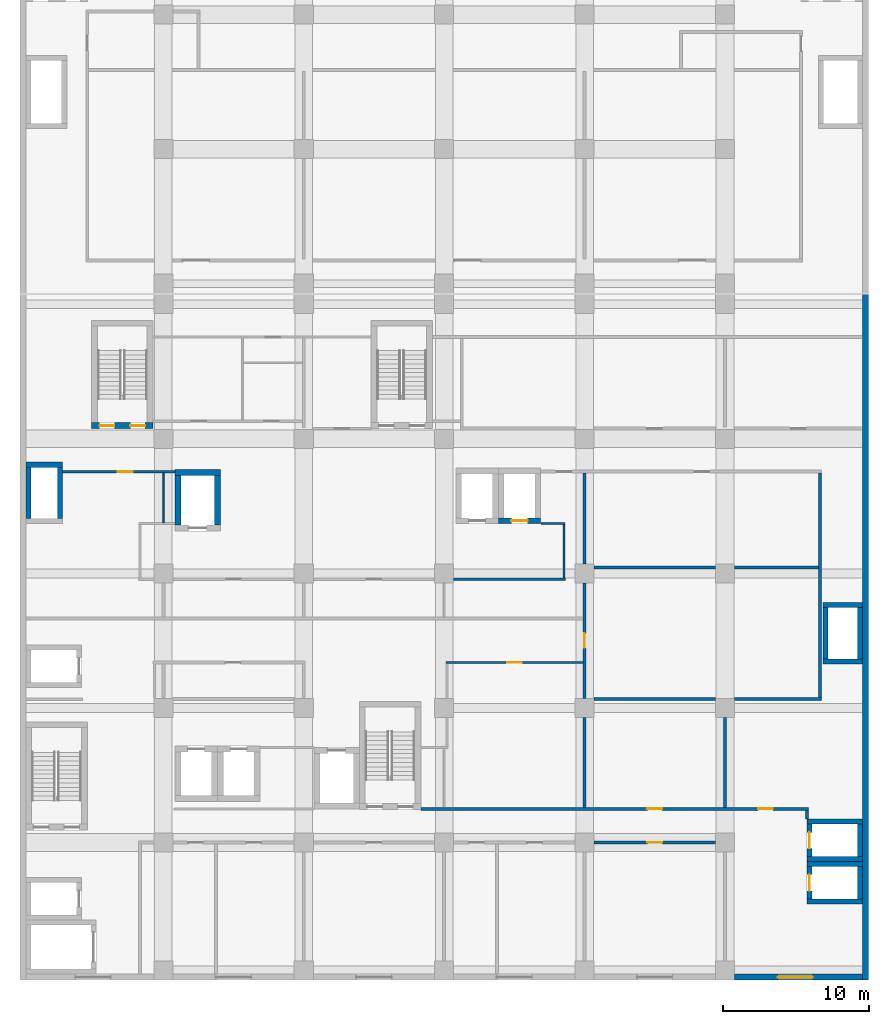
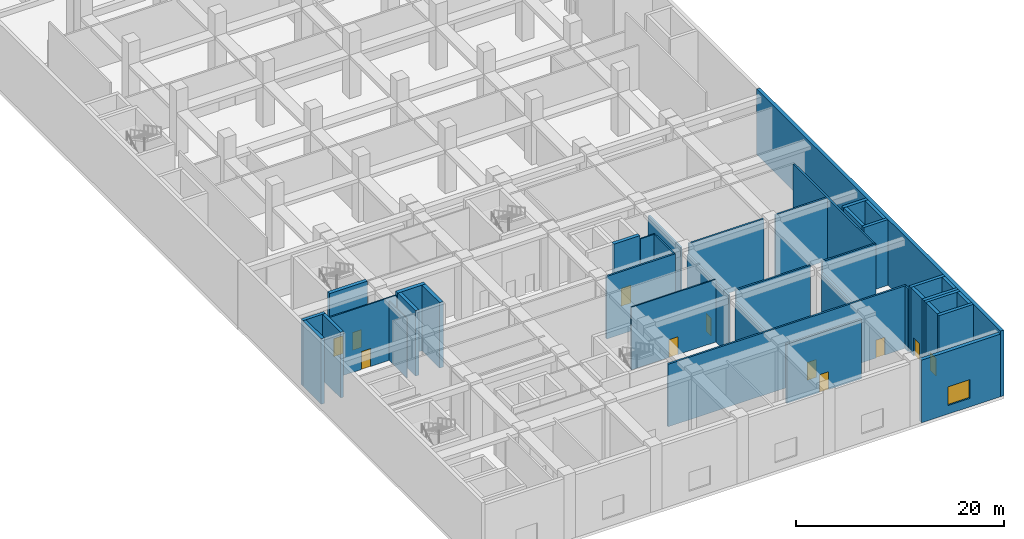
# One storey, part 13 of 33: 40 walls, 11 doors, 1 window, 12 openings.
"""IFC4 building model written with IfcOpenShell, lengths in metres."""

from ifc_helpers import new_model, si_unit, direction, frame, frame_2d, origin, place, context, subcontext, project, spatial, rectangle, extrude, material, layer, layer_set, layer_usage, type_object, element, fill, save


model = new_model("IFC4")

# Units and contexts
model_context = context("Model", 3, precision=1e-05, world=origin(), true_north=direction((0.0, 1.0)))
body_context = subcontext(model_context, "Body", "Model", "MODEL_VIEW")
ifc_project = project(units=[si_unit("LENGTHUNIT", "METRE"), si_unit("AREAUNIT", "SQUARE_METRE"), si_unit("VOLUMEUNIT", "CUBIC_METRE"), si_unit("PLANEANGLEUNIT", "RADIAN"), si_unit("MASSUNIT", "GRAM", prefix="KILO")], contexts=[model_context])

# Site, building, storey
site_placement = place(None, origin())
site = spatial("IfcSite", under=ifc_project, at=site_placement, CompositionType="ELEMENT")
building_placement = place(site_placement, origin())
building = spatial("IfcBuilding", under=site, at=building_placement, Name="Nzadi Deep Aquarium and Research Tower", CompositionType="ELEMENT")
storey_placement = place(building_placement, frame((0.0, 0.0, 6.5)))
storey = spatial("IfcBuildingStorey", under=building, at=storey_placement, Name="L01", CompositionType="ELEMENT", Elevation=6.5)

# Wall
ifc_material_1 = material(Name="Blockwork masonry", Category="masonry")
ifc_layer_1 = layer(ifc_material_1, 0.10009765625)
ifc_layer_set_1 = layer_set([ifc_layer_1], Name="Blockwork masonry")
wall_type_1 = type_object("IfcWallType", Name="Partition 100 EI 30", PredefinedType="PARTITIONING", material=ifc_layer_set_1)
wall_1_placement = place(storey_placement, frame((9.60009765625, 31.074951171875, 0.0), z_axis=(0.0, 0.0, 1.0), x_axis=(0.0, 1.0, 0.0)))
element("IfcWall", 1, at=wall_1_placement, inside=storey, type_object=wall_type_1, Name="W-Z1-L01-P015", PredefinedType="PARTITIONING", context=body_context, shape_type="SweptSolid", body=[
    extrude(rectangle(XDim=3.400146484375, YDim=0.10009765625, at=frame_2d((1.7001953125, 0.0))), origin(), (0.0, 0.0, 1.0), 6.949951171875),
])

# Wall, opening, door
ifc_material_2 = material(Name="Blockwork masonry", Category="masonry")
ifc_layer_2 = layer(ifc_material_2, 0.14990234375)
ifc_layer_set_2 = layer_set([ifc_layer_2], Name="Blockwork masonry")
wall_type_2 = type_object("IfcWallType", Name="Partition 150 EI 60", PredefinedType="PARTITIONING", material=ifc_layer_set_2)
wall_2_placement = place(storey_placement, frame((2.7060546875, 34.550048828125, 0.0), z_axis=(0.0, 0.0, 1.0), x_axis=(1.0, 0.0, 0.0)))
wall_2 = element("IfcWall", 2, at=wall_2_placement, inside=storey, type_object=wall_type_2, Name="W-Z1-L01-P003", PredefinedType="PARTITIONING", context=body_context, shape_type="SweptSolid", body=[
    extrude(rectangle(XDim=7.68798828125, YDim=0.14990234375, at=frame_2d((3.843994140625, 0.0))), origin(), (0.0, 0.0, 1.0), 7.35009765625),
])
opening_1_placement = place(wall_2_placement, frame((3.7939453125, 0.0, 0.0)))
opening_1 = element("IfcOpeningElement", 3, at=opening_1_placement, cuts=wall_2, Name="Opening D021005", PredefinedType="OPENING", context=body_context, shape_type="SweptSolid", body=[
    extrude(rectangle(XDim=1.0, YDim=2.10009765625, at=frame_2d((0.5, 1.050048828125))), frame((0.0, 0.0849609375, 0.0), z_axis=(0.0, -1.0, 0.0), x_axis=(1.0, 0.0, 0.0)), (0.0, 0.0, 1.0), 0.169921875),
])
ifc_material_3 = material(Name="Fire-rated steel door", Category="steel")
ifc_layer_3 = layer(ifc_material_3, 0.050048828125)
ifc_layer_set_3 = layer_set([ifc_layer_3], Name="Fire-rated steel door")
door_type_1 = type_object("IfcDoorType", Name="Door 1000x2100 EI 60 single", OperationType="SINGLE_SWING_LEFT", PredefinedType="DOOR", material=ifc_layer_set_3)
door_1_placement = place(opening_1_placement, origin())
door_1 = element("IfcDoor", 4, at=door_1_placement, inside=storey, type_object=door_type_1, Name="D021005", OperationType="SINGLE_SWING_LEFT", OverallHeight=2.10009765625, OverallWidth=1.0, PredefinedType="DOOR", context=body_context, shape_type="SweptSolid", body=[
    extrude(rectangle(XDim=1.0, YDim=2.10009765625, at=frame_2d((0.5, 1.050048828125))), frame((0.0, 0.02490234375, 0.0), z_axis=(0.0, -1.0, 0.0), x_axis=(1.0, 0.0, 0.0)), (0.0, 0.0, 1.0), 0.050048828125),
])
fill(opening_1, door_1)

wall_3_placement = place(storey_placement, frame((28.925048828125, 21.5, 0.0), z_axis=(0.0, 0.0, 1.0), x_axis=(1.0, 0.0, 0.0)))
wall_3 = element("IfcWall", 5, at=wall_3_placement, inside=storey, type_object=wall_type_2, Name="W-Z1-L01-P040", PredefinedType="PARTITIONING", context=body_context, shape_type="SweptSolid", body=[
    extrude(rectangle(XDim=9.375, YDim=0.14990234375, at=frame_2d((4.6875, 0.0))), origin(), (0.0, 0.0, 1.0), 7.35009765625),
])
opening_2_placement = place(wall_3_placement, frame((4.18701171875, 0.0, 0.0)))
opening_2 = element("IfcOpeningElement", 6, at=opening_2_placement, cuts=wall_3, Name="Opening D021002", PredefinedType="OPENING", context=body_context, shape_type="SweptSolid", body=[
    extrude(rectangle(XDim=1.0, YDim=2.10009765625, at=frame_2d((0.5, 1.050048828125))), frame((0.0, 0.0849609375, 0.0), z_axis=(0.0, -1.0, 0.0), x_axis=(1.0, 0.0, 0.0)), (0.0, 0.0, 1.0), 0.169921875),
])
door_2_placement = place(opening_2_placement, origin())
door_2 = element("IfcDoor", 7, at=door_2_placement, inside=storey, type_object=door_type_1, Name="D021002", OperationType="SINGLE_SWING_RIGHT", OverallHeight=2.10009765625, OverallWidth=1.0, PredefinedType="DOOR", context=body_context, shape_type="SweptSolid", body=[
    extrude(rectangle(XDim=1.0, YDim=2.10009765625, at=frame_2d((0.5, 1.050048828125))), frame((0.0, 0.02490234375, 0.0), z_axis=(0.0, -1.0, 0.0), x_axis=(1.0, 0.0, 0.0)), (0.0, 0.0, 1.0), 0.050048828125),
])
fill(opening_2, door_2)

# Walls
wall_4_placement = place(storey_placement, frame((35.406005859375, 31.0, 0.0), z_axis=(0.0, 0.0, 1.0), x_axis=(1.0, 0.0, 0.0)))
element("IfcWall", 8, at=wall_4_placement, inside=storey, type_object=wall_type_2, Name="W-Z1-L01-P046", PredefinedType="PARTITIONING", context=body_context, shape_type="SweptSolid", body=[
    extrude(rectangle(XDim=1.6689453125, YDim=0.14990234375, at=frame_2d((0.83447265625, 0.0))), origin(), (0.0, 0.0, 1.0), 7.35009765625),
])
wall_5_placement = place(storey_placement, frame((37.0, 27.300048828125, 0.0), z_axis=(0.0, 0.0, 1.0), x_axis=(0.0, 1.0, 0.0)))
element("IfcWall", 9, at=wall_5_placement, inside=storey, type_object=wall_type_2, Name="W-Z1-L01-P048", PredefinedType="PARTITIONING", context=body_context, shape_type="SweptSolid", body=[
    extrude(rectangle(XDim=3.625, YDim=0.14990234375, at=frame_2d((1.8125, 0.0))), origin(), (0.0, 0.0, 1.0), 7.35009765625),
])

# Wall, openings, doors
ifc_material_4 = material(Name="Blockwork masonry", Category="masonry")
ifc_layer_4 = layer(ifc_material_4, 0.199951171875)
ifc_layer_set_4 = layer_set([ifc_layer_4], Name="Blockwork masonry")
wall_type_3 = type_object("IfcWallType", Name="Partition 200 EI 120", PredefinedType="PARTITIONING", material=ifc_layer_set_4)
wall_6_placement = place(storey_placement, frame((27.2060546875, 11.5, 0.0), z_axis=(0.0, 0.0, 1.0), x_axis=(1.0, 0.0, 0.0)))
wall_6 = element("IfcWall", 10, at=wall_6_placement, inside=storey, type_object=wall_type_3, Name="W-Z1-L01-P031", PredefinedType="PARTITIONING", context=body_context, shape_type="SweptSolid", body=[
    extrude(rectangle(XDim=26.493896484375, YDim=0.199951171875, at=frame_2d((13.2470703125, 0.0))), origin(), (0.0, 0.0, 1.0), 7.35009765625),
])
opening_3_placement = place(wall_6_placement, frame((15.493896484375, 0.0, 0.0)))
opening_3 = element("IfcOpeningElement", 11, at=opening_3_placement, cuts=wall_6, Name="Opening D021003", PredefinedType="OPENING", context=body_context, shape_type="SweptSolid", body=[
    extrude(rectangle(XDim=1.0, YDim=2.10009765625, at=frame_2d((0.5, 1.050048828125))), frame((0.0, 0.110107421875, 0.0), z_axis=(0.0, -1.0, 0.0), x_axis=(1.0, 0.0, 0.0)), (0.0, 0.0, 1.0), 0.22021484375),
])
opening_4_placement = place(wall_6_placement, frame((23.05908203125, 0.0, 0.0)))
opening_4 = element("IfcOpeningElement", 12, at=opening_4_placement, cuts=wall_6, Name="Opening D021004", PredefinedType="OPENING", context=body_context, shape_type="SweptSolid", body=[
    extrude(rectangle(XDim=1.0, YDim=2.10009765625, at=frame_2d((0.5, 1.050048828125))), frame((0.0, 0.110107421875, 0.0), z_axis=(0.0, -1.0, 0.0), x_axis=(1.0, 0.0, 0.0)), (0.0, 0.0, 1.0), 0.22021484375),
])
ifc_material_5 = material(Name="Fire-rated steel door", Category="steel")
ifc_layer_5 = layer(ifc_material_5, 0.050048828125)
ifc_layer_set_5 = layer_set([ifc_layer_5], Name="Fire-rated steel door")
door_type_2 = type_object("IfcDoorType", Name="Door 1000x2100 EI 120 single", OperationType="SINGLE_SWING_LEFT", PredefinedType="DOOR", material=ifc_layer_set_5)
door_3_placement = place(opening_3_placement, origin())
door_3 = element("IfcDoor", 13, at=door_3_placement, inside=storey, type_object=door_type_2, Name="D021003", OperationType="SINGLE_SWING_RIGHT", OverallHeight=2.10009765625, OverallWidth=1.0, PredefinedType="DOOR", context=body_context, shape_type="SweptSolid", body=[
    extrude(rectangle(XDim=1.0, YDim=2.10009765625, at=frame_2d((0.5, 1.050048828125))), frame((0.0, 0.02490234375, 0.0), z_axis=(0.0, -1.0, 0.0), x_axis=(1.0, 0.0, 0.0)), (0.0, 0.0, 1.0), 0.050048828125),
])
fill(opening_3, door_3)
door_4_placement = place(opening_4_placement, origin())
door_4 = element("IfcDoor", 14, at=door_4_placement, inside=storey, type_object=door_type_2, Name="D021004", OperationType="SINGLE_SWING_LEFT", OverallHeight=2.10009765625, OverallWidth=1.0, PredefinedType="DOOR", context=body_context, shape_type="SweptSolid", body=[
    extrude(rectangle(XDim=1.0, YDim=2.10009765625, at=frame_2d((0.5, 1.050048828125))), frame((0.0, 0.02490234375, 0.0), z_axis=(0.0, -1.0, 0.0), x_axis=(1.0, 0.0, 0.0)), (0.0, 0.0, 1.0), 0.050048828125),
])
fill(opening_4, door_4)

# Walls
wall_7_placement = place(storey_placement, frame((29.449951171875, 27.199951171875, 0.0), z_axis=(0.0, 0.0, 1.0), x_axis=(1.0, 0.0, 0.0)))
element("IfcWall", 15, at=wall_7_placement, inside=storey, type_object=wall_type_3, Name="W-Z1-L01-P042", PredefinedType="PARTITIONING", context=body_context, shape_type="SweptSolid", body=[
    extrude(rectangle(XDim=7.650146484375, YDim=0.199951171875, at=frame_2d((3.8251953125, 0.0))), origin(), (0.0, 0.0, 1.0), 7.35009765625),
])
for number, where, z_axis, x_axis, name in (
    (16, (39.050048828125, 19.0, 0.0), (0.0, 0.0, 1.0), (1.0, 0.0, 0.0), "W-Z1-L01-P054"),
    (17, (39.050048828125, 28.0, 0.0), (0.0, 0.0, 1.0), (1.0, 0.0, 0.0), "W-Z1-L01-P055"),
):
    element("IfcWall", number, at=place(storey_placement, frame(where, z_axis=z_axis, x_axis=x_axis)), inside=storey, type_object=wall_type_3, Name=name, PredefinedType="PARTITIONING", context=body_context, shape_type="SweptSolid", body=[
        extrude(rectangle(XDim=8.300048828125, YDim=0.199951171875, at=frame_2d((4.14990234375, 0.0))), origin(), (0.0, 0.0, 1.0), 7.35009765625),
    ])
wall_8_placement = place(storey_placement, frame((48.64990234375, 19.0, 0.0), z_axis=(0.0, 0.0, 1.0), x_axis=(1.0, 0.0, 0.0)))
element("IfcWall", 18, at=wall_8_placement, inside=storey, type_object=wall_type_3, Name="W-Z1-L01-P060", PredefinedType="PARTITIONING", context=body_context, shape_type="SweptSolid", body=[
    extrude(rectangle(XDim=5.9501953125, YDim=0.199951171875, at=frame_2d((2.97509765625, 0.0))), origin(), (0.0, 0.0, 1.0), 7.35009765625),
])
wall_9_placement = place(storey_placement, frame((48.64990234375, 28.0, 0.0), z_axis=(0.0, 0.0, 1.0), x_axis=(1.0, 0.0, 0.0)))
element("IfcWall", 19, at=wall_9_placement, inside=storey, type_object=wall_type_3, Name="W-Z1-L01-P061", PredefinedType="PARTITIONING", context=body_context, shape_type="SweptSolid", body=[
    extrude(rectangle(XDim=5.75, YDim=0.199951171875, at=frame_2d((2.875, 0.0))), origin(), (0.0, 0.0, 1.0), 7.35009765625),
])
wall_10_placement = place(storey_placement, frame((53.60009765625, 10.805908203125, 0.0), z_axis=(0.0, 0.0, 1.0), x_axis=(0.0, 1.0, 0.0)))
element("IfcWall", 20, at=wall_10_placement, inside=storey, type_object=wall_type_3, Name="W-Z1-L01-P063", PredefinedType="PARTITIONING", context=body_context, shape_type="SweptSolid", body=[
    extrude(rectangle(XDim=0.593994140625, YDim=0.199951171875, at=frame_2d((0.296875, 0.0))), origin(), (0.0, 0.0, 1.0), 7.35009765625),
])
wall_11_placement = place(storey_placement, frame((54.5, 19.10009765625, 0.0), z_axis=(0.0, 0.0, 1.0), x_axis=(0.0, 1.0, 0.0)))
element("IfcWall", 21, at=wall_11_placement, inside=storey, type_object=wall_type_3, Name="W-Z1-L01-P064", PredefinedType="PARTITIONING", context=body_context, shape_type="SweptSolid", body=[
    extrude(rectangle(XDim=15.349853515625, YDim=0.199951171875, at=frame_2d((7.6748046875, 0.0))), origin(), (0.0, 0.0, 1.0), 7.35009765625),
])
ifc_material_6 = material(Name="Blockwork masonry", Category="masonry")
ifc_layer_6 = layer(ifc_material_6, 0.199951171875)
ifc_layer_set_6 = layer_set([ifc_layer_6], Name="Blockwork masonry")
wall_type_4 = type_object("IfcWallType", Name="Partition 200 EI 120, 6.95 m high", PredefinedType="PARTITIONING", material=ifc_layer_set_6)
wall_12_placement = place(storey_placement, frame((38.39990234375, 11.60009765625, 0.0), z_axis=(0.0, 0.0, 1.0), x_axis=(0.0, 1.0, 0.0)))
element("IfcWall", 22, at=wall_12_placement, inside=storey, type_object=wall_type_4, Name="W-Z1-L01-P050", PredefinedType="PARTITIONING", context=body_context, shape_type="SweptSolid", body=[
    extrude(rectangle(XDim=6.14990234375, YDim=0.199951171875, at=frame_2d((3.074951171875, 0.0))), origin(), (0.0, 0.0, 1.0), 6.949951171875),
])

# Wall, opening, door
wall_13_placement = place(storey_placement, frame((38.39990234375, 19.050048828125, 0.0), z_axis=(0.0, 0.0, 1.0), x_axis=(0.0, 1.0, 0.0)))
wall_13 = element("IfcWall", 23, at=wall_13_placement, inside=storey, type_object=wall_type_4, Name="W-Z1-L01-P051", PredefinedType="PARTITIONING", context=body_context, shape_type="SweptSolid", body=[
    extrude(rectangle(XDim=7.89990234375, YDim=0.199951171875, at=frame_2d((3.949951171875, 0.0))), origin(), (0.0, 0.0, 1.0), 6.949951171875),
])
opening_5_placement = place(wall_13_placement, frame((3.449951171875, 0.0, 0.0)))
opening_5 = element("IfcOpeningElement", 24, at=opening_5_placement, cuts=wall_13, Name="Opening D021015", PredefinedType="OPENING", context=body_context, shape_type="SweptSolid", body=[
    extrude(rectangle(XDim=1.0, YDim=2.10009765625, at=frame_2d((0.5, 1.050048828125))), frame((0.0, 0.110107421875, 0.0), z_axis=(0.0, -1.0, 0.0), x_axis=(1.0, 0.0, 0.0)), (0.0, 0.0, 1.0), 0.22021484375),
])
door_5_placement = place(opening_5_placement, origin())
door_5 = element("IfcDoor", 25, at=door_5_placement, inside=storey, type_object=door_type_2, Name="D021015", OperationType="SINGLE_SWING_LEFT", OverallHeight=2.10009765625, OverallWidth=1.0, PredefinedType="DOOR", context=body_context, shape_type="SweptSolid", body=[
    extrude(rectangle(XDim=1.0, YDim=2.10009765625, at=frame_2d((0.5, 1.050048828125))), frame((0.0, 0.02490234375, 0.0), z_axis=(0.0, -1.0, 0.0), x_axis=(1.0, 0.0, 0.0)), (0.0, 0.0, 1.0), 0.050048828125),
])
fill(opening_5, door_5)

# Wall
wall_14_placement = place(storey_placement, frame((38.39990234375, 28.25, 0.0), z_axis=(0.0, 0.0, 1.0), x_axis=(0.0, 1.0, 0.0)))
element("IfcWall", 26, at=wall_14_placement, inside=storey, type_object=wall_type_4, Name="W-Z1-L01-P052", PredefinedType="PARTITIONING", context=body_context, shape_type="SweptSolid", body=[
    extrude(rectangle(XDim=6.199951171875, YDim=0.199951171875, at=frame_2d((3.10009765625, 0.0))), origin(), (0.0, 0.0, 1.0), 6.949951171875),
])

# Wall, opening, door
wall_15_placement = place(storey_placement, frame((39.050048828125, 9.199951171875, 0.0), z_axis=(0.0, 0.0, 1.0), x_axis=(1.0, 0.0, 0.0)))
wall_15 = element("IfcWall", 27, at=wall_15_placement, inside=storey, type_object=wall_type_4, Name="W-Z1-L01-P053", PredefinedType="PARTITIONING", context=body_context, shape_type="SweptSolid", body=[
    extrude(rectangle(XDim=8.300048828125, YDim=0.199951171875, at=frame_2d((4.14990234375, 0.0))), origin(), (0.0, 0.0, 1.0), 6.949951171875),
])
opening_6_placement = place(wall_15_placement, frame((3.64990234375, 0.0, 0.0)))
opening_6 = element("IfcOpeningElement", 28, at=opening_6_placement, cuts=wall_15, Name="Opening D021014", PredefinedType="OPENING", context=body_context, shape_type="SweptSolid", body=[
    extrude(rectangle(XDim=1.0, YDim=2.10009765625, at=frame_2d((0.5, 1.050048828125))), frame((0.0, 0.110107421875, 0.0), z_axis=(0.0, -1.0, 0.0), x_axis=(1.0, 0.0, 0.0)), (0.0, 0.0, 1.0), 0.22021484375),
])
door_6_placement = place(opening_6_placement, origin())
door_6 = element("IfcDoor", 29, at=door_6_placement, inside=storey, type_object=door_type_2, Name="D021014", OperationType="SINGLE_SWING_RIGHT", OverallHeight=2.10009765625, OverallWidth=1.0, PredefinedType="DOOR", context=body_context, shape_type="SweptSolid", body=[
    extrude(rectangle(XDim=1.0, YDim=2.10009765625, at=frame_2d((0.5, 1.050048828125))), frame((0.0, 0.02490234375, 0.0), z_axis=(0.0, -1.0, 0.0), x_axis=(1.0, 0.0, 0.0)), (0.0, 0.0, 1.0), 0.050048828125),
])
fill(opening_6, door_6)

# Walls
wall_16_placement = place(storey_placement, frame((48.0, 11.60009765625, 0.0), z_axis=(0.0, 0.0, 1.0), x_axis=(0.0, 1.0, 0.0)))
element("IfcWall", 30, at=wall_16_placement, inside=storey, type_object=wall_type_4, Name="W-Z1-L01-P058", PredefinedType="PARTITIONING", context=body_context, shape_type="SweptSolid", body=[
    extrude(rectangle(XDim=6.14990234375, YDim=0.199951171875, at=frame_2d((3.074951171875, 0.0))), origin(), (0.0, 0.0, 1.0), 6.949951171875),
])
ifc_material_7 = material(Name="Concrete C35/45", Category="concrete")
ifc_layer_7 = layer(ifc_material_7, 0.35009765625)
ifc_layer_set_7 = layer_set([ifc_layer_7], Name="Concrete C35/45")
wall_type_5 = type_object("IfcWallType", Name="RC core wall 350, 7.50 to 7.70 m high", PredefinedType="SHEAR", material=ifc_layer_set_7)
for number, where, z_axis, x_axis, name in (
    (31, (53.60009765625, 5.175048828125, 0.0), (0.0, 0.0, 1.0), (1.0, 0.0, 0.0), "W-CORE-EL2-L01-S"),
    (32, (53.60009765625, 7.72509765625, 0.0), (0.0, 0.0, 1.0), (1.0, 0.0, 0.0), "W-CORE-EL2-L01-N"),
):
    element("IfcWall", number, at=place(storey_placement, frame(where, z_axis=z_axis, x_axis=x_axis)), inside=storey, type_object=wall_type_5, Name=name, PredefinedType="SHEAR", context=body_context, shape_type="SweptSolid", body=[
        extrude(rectangle(XDim=3.7998046875, YDim=0.35009765625, at=frame_2d((1.89990234375, 0.0))), origin(), (0.0, 0.0, 1.0), 7.699951171875),
    ])

# Wall, opening, door
wall_17_placement = place(storey_placement, frame((53.77490234375, 5.35009765625, 0.0), z_axis=(0.0, 0.0, 1.0), x_axis=(0.0, 1.0, 0.0)))
wall_17 = element("IfcWall", 33, at=wall_17_placement, inside=storey, type_object=wall_type_5, Name="W-CORE-EL2-L01-W", PredefinedType="SHEAR", context=body_context, shape_type="SweptSolid", body=[
    extrude(rectangle(XDim=2.199951171875, YDim=0.35009765625, at=frame_2d((1.10009765625, 0.0))), origin(), (0.0, 0.0, 1.0), 7.699951171875),
])
opening_7_placement = place(wall_17_placement, frame((0.550048828125, 0.0, 0.0)))
opening_7 = element("IfcOpeningElement", 34, at=opening_7_placement, cuts=wall_17, Name="Opening LD-EL2-L01", PredefinedType="OPENING", context=body_context, shape_type="SweptSolid", body=[
    extrude(rectangle(XDim=1.10009765625, YDim=2.10009765625, at=frame_2d((0.550048828125, 1.050048828125))), frame((0.0, 0.18505859375, 0.0), z_axis=(0.0, -1.0, 0.0), x_axis=(1.0, 0.0, 0.0)), (0.0, 0.0, 1.0), 0.3701171875),
])
ifc_material_8 = material(Name="Stainless steel 1.4301", Category="steel")
door_type_3 = type_object("IfcDoorType", Name="LANDING DOOR 1100x2100", OperationType="DOUBLE_DOOR_SLIDING", PredefinedType="DOOR", material=ifc_material_8)
door_7_placement = place(opening_7_placement, origin())
door_7 = element("IfcDoor", 35, at=door_7_placement, inside=storey, type_object=door_type_3, Name="Landing door EL2 L01", OperationType="DOUBLE_DOOR_SLIDING", OverallHeight=2.10009765625, OverallWidth=1.10009765625, PredefinedType="DOOR", context=body_context, shape_type="SweptSolid", body=[
    extrude(rectangle(XDim=1.10009765625, YDim=2.10009765625, at=frame_2d((0.550048828125, 1.050048828125))), frame((0.0, 0.02490234375, 0.0), z_axis=(0.0, -1.0, 0.0), x_axis=(1.0, 0.0, 0.0)), (0.0, 0.0, 1.0), 0.050048828125),
])
fill(opening_7, door_7)

# Walls
wall_18_placement = place(storey_placement, frame((57.22509765625, 5.35009765625, 0.0), z_axis=(0.0, 0.0, 1.0), x_axis=(0.0, 1.0, 0.0)))
element("IfcWall", 36, at=wall_18_placement, inside=storey, type_object=wall_type_5, Name="W-CORE-EL2-L01-E", PredefinedType="SHEAR", context=body_context, shape_type="SweptSolid", body=[
    extrude(rectangle(XDim=2.199951171875, YDim=0.35009765625, at=frame_2d((1.10009765625, 0.0))), origin(), (0.0, 0.0, 1.0), 7.699951171875),
])
for number, where, z_axis, x_axis, name in (
    (37, (53.60009765625, 8.074951171875, 0.0), (0.0, 0.0, 1.0), (1.0, 0.0, 0.0), "W-CORE-PL2-L01-S"),
    (38, (53.60009765625, 10.625, 0.0), (0.0, 0.0, 1.0), (1.0, 0.0, 0.0), "W-CORE-PL2-L01-N"),
):
    element("IfcWall", number, at=place(storey_placement, frame(where, z_axis=z_axis, x_axis=x_axis)), inside=storey, type_object=wall_type_5, Name=name, PredefinedType="SHEAR", context=body_context, shape_type="SweptSolid", body=[
        extrude(rectangle(XDim=3.7998046875, YDim=0.35009765625, at=frame_2d((1.89990234375, 0.0))), origin(), (0.0, 0.0, 1.0), 7.699951171875),
    ])

# Wall, opening, door
wall_19_placement = place(storey_placement, frame((53.77490234375, 8.25, 0.0), z_axis=(0.0, 0.0, 1.0), x_axis=(0.0, 1.0, 0.0)))
wall_19 = element("IfcWall", 39, at=wall_19_placement, inside=storey, type_object=wall_type_5, Name="W-CORE-PL2-L01-W", PredefinedType="SHEAR", context=body_context, shape_type="SweptSolid", body=[
    extrude(rectangle(XDim=2.199951171875, YDim=0.35009765625, at=frame_2d((1.10009765625, 0.0))), origin(), (0.0, 0.0, 1.0), 7.699951171875),
])
opening_8_placement = place(wall_19_placement, frame((0.550048828125, 0.0, 0.0)))
opening_8 = element("IfcOpeningElement", 40, at=opening_8_placement, cuts=wall_19, Name="Opening LD-PL2-L01", PredefinedType="OPENING", context=body_context, shape_type="SweptSolid", body=[
    extrude(rectangle(XDim=1.10009765625, YDim=2.10009765625, at=frame_2d((0.550048828125, 1.050048828125))), frame((0.0, 0.18505859375, 0.0), z_axis=(0.0, -1.0, 0.0), x_axis=(1.0, 0.0, 0.0)), (0.0, 0.0, 1.0), 0.3701171875),
])
door_8_placement = place(opening_8_placement, origin())
door_8 = element("IfcDoor", 41, at=door_8_placement, inside=storey, type_object=door_type_3, Name="Landing door PL2 L01", OperationType="DOUBLE_DOOR_SLIDING", OverallHeight=2.10009765625, OverallWidth=1.10009765625, PredefinedType="DOOR", context=body_context, shape_type="SweptSolid", body=[
    extrude(rectangle(XDim=1.10009765625, YDim=2.10009765625, at=frame_2d((0.550048828125, 1.050048828125))), frame((0.0, 0.02490234375, 0.0), z_axis=(0.0, -1.0, 0.0), x_axis=(1.0, 0.0, 0.0)), (0.0, 0.0, 1.0), 0.050048828125),
])
fill(opening_8, door_8)

# Walls
wall_20_placement = place(storey_placement, frame((57.22509765625, 8.25, 0.0), z_axis=(0.0, 0.0, 1.0), x_axis=(0.0, 1.0, 0.0)))
element("IfcWall", 42, at=wall_20_placement, inside=storey, type_object=wall_type_5, Name="W-CORE-PL2-L01-E", PredefinedType="SHEAR", context=body_context, shape_type="SweptSolid", body=[
    extrude(rectangle(XDim=2.199951171875, YDim=0.35009765625, at=frame_2d((1.10009765625, 0.0))), origin(), (0.0, 0.0, 1.0), 7.699951171875),
])
wall_21_placement = place(storey_placement, frame((0.199951171875, 35.02490234375, 0.0), z_axis=(0.0, 0.0, 1.0), x_axis=(1.0, 0.0, 0.0)))
element("IfcWall", 43, at=wall_21_placement, inside=storey, type_object=wall_type_5, Name="W-CORE-RS-Z1-W-L01-N", PredefinedType="SHEAR", context=body_context, shape_type="SweptSolid", body=[
    extrude(rectangle(XDim=2.5, YDim=0.35009765625, at=frame_2d((1.25, 0.0))), origin(), (0.0, 0.0, 1.0), 7.699951171875),
])
for number, where, z_axis, x_axis, name in (
    (44, (0.375, 31.35009765625, 0.0), (0.0, 0.0, 1.0), (0.0, 1.0, 0.0), "W-CORE-RS-Z1-W-L01-W"),
    (45, (2.52490234375, 31.35009765625, 0.0), (0.0, 0.0, 1.0), (0.0, 1.0, 0.0), "W-CORE-RS-Z1-W-L01-E"),
):
    element("IfcWall", number, at=place(storey_placement, frame(where, z_axis=z_axis, x_axis=x_axis)), inside=storey, type_object=wall_type_5, Name=name, PredefinedType="SHEAR", context=body_context, shape_type="SweptSolid", body=[
        extrude(rectangle(XDim=3.5, YDim=0.35009765625, at=frame_2d((1.75, 0.0))), origin(), (0.0, 0.0, 1.0), 7.699951171875),
    ])
for number, where, z_axis, x_axis, name in (
    (46, (54.699951171875, 21.574951171875, 0.0), (0.0, 0.0, 1.0), (1.0, 0.0, 0.0), "W-CORE-RS-Z1-E-L01-S"),
    (47, (54.699951171875, 25.425048828125, 0.0), (0.0, 0.0, 1.0), (1.0, 0.0, 0.0), "W-CORE-RS-Z1-E-L01-N"),
):
    element("IfcWall", number, at=place(storey_placement, frame(where, z_axis=z_axis, x_axis=x_axis)), inside=storey, type_object=wall_type_5, Name=name, PredefinedType="SHEAR", context=body_context, shape_type="SweptSolid", body=[
        extrude(rectangle(XDim=2.699951171875, YDim=0.35009765625, at=frame_2d((1.35009765625, 0.0))), origin(), (0.0, 0.0, 1.0), 7.699951171875),
    ])
for number, where, z_axis, x_axis, name in (
    (48, (54.875, 21.75, 0.0), (0.0, 0.0, 1.0), (0.0, 1.0, 0.0), "W-CORE-RS-Z1-E-L01-W"),
    (49, (57.22509765625, 21.75, 0.0), (0.0, 0.0, 1.0), (0.0, 1.0, 0.0), "W-CORE-RS-Z1-E-L01-E"),
):
    element("IfcWall", number, at=place(storey_placement, frame(where, z_axis=z_axis, x_axis=x_axis)), inside=storey, type_object=wall_type_5, Name=name, PredefinedType="SHEAR", context=body_context, shape_type="SweptSolid", body=[
        extrude(rectangle(XDim=3.5, YDim=0.35009765625, at=frame_2d((1.75, 0.0))), origin(), (0.0, 0.0, 1.0), 7.699951171875),
    ])

# Wall, openings, doors
ifc_material_9 = material(Name="Concrete C35/45", Category="concrete")
ifc_layer_8 = layer(ifc_material_9, 0.39990234375)
ifc_layer_set_8 = layer_set([ifc_layer_8], Name="Concrete C35/45")
wall_type_6 = type_object("IfcWallType", Name="RC core wall 400, 7.50 to 7.70 m high", PredefinedType="SHEAR", material=ifc_layer_set_8)
wall_22_placement = place(storey_placement, frame((4.699951171875, 37.699951171875, 0.0), z_axis=(0.0, 0.0, 1.0), x_axis=(1.0, 0.0, 0.0)))
wall_22 = element("IfcWall", 50, at=wall_22_placement, inside=storey, type_object=wall_type_6, Name="W-CORE-ST-Z1-NW-L01-S", PredefinedType="SHEAR", context=body_context, shape_type="SweptSolid", body=[
    extrude(rectangle(XDim=4.199951171875, YDim=0.39990234375, at=frame_2d((2.10009765625, 0.0))), origin(), (0.0, 0.0, 1.0), 7.699951171875),
])
opening_9_placement = place(wall_22_placement, frame((0.550048828125, 0.0, 0.0)))
opening_9 = element("IfcOpeningElement", 51, at=opening_9_placement, cuts=wall_22, Name="Opening DS-Z1-NW-L01A", PredefinedType="OPENING", context=body_context, shape_type="SweptSolid", body=[
    extrude(rectangle(XDim=1.0, YDim=2.10009765625, at=frame_2d((0.5, 1.050048828125))), frame((0.0, 0.2099609375, 0.0), z_axis=(0.0, -1.0, 0.0), x_axis=(1.0, 0.0, 0.0)), (0.0, 0.0, 1.0), 0.419921875),
])
opening_10_placement = place(wall_22_placement, frame((2.64990234375, 0.0, 0.0)))
opening_10 = element("IfcOpeningElement", 52, at=opening_10_placement, cuts=wall_22, Name="Opening DS-Z1-NW-L01B", PredefinedType="OPENING", context=body_context, shape_type="SweptSolid", body=[
    extrude(rectangle(XDim=1.0, YDim=2.10009765625, at=frame_2d((0.5, 1.050048828125))), frame((0.0, 0.2099609375, 0.0), z_axis=(0.0, -1.0, 0.0), x_axis=(1.0, 0.0, 0.0)), (0.0, 0.0, 1.0), 0.419921875),
])
ifc_material_10 = material(Name="Steel, powder coated", Category="steel")
door_type_4 = type_object("IfcDoorType", Name="STAIR DOOR 1000x2100 EI 60", OperationType="SINGLE_SWING_LEFT", PredefinedType="DOOR", material=ifc_material_10)
door_9_placement = place(opening_9_placement, origin())
door_9 = element("IfcDoor", 53, at=door_9_placement, inside=storey, type_object=door_type_4, Name="Stair door ST-Z1-NW L01 A", OperationType="SINGLE_SWING_RIGHT", OverallHeight=2.10009765625, OverallWidth=1.0, PredefinedType="DOOR", context=body_context, shape_type="SweptSolid", body=[
    extrude(rectangle(XDim=1.0, YDim=2.10009765625, at=frame_2d((0.5, 1.050048828125))), frame((0.0, 0.02490234375, 0.0), z_axis=(0.0, -1.0, 0.0), x_axis=(1.0, 0.0, 0.0)), (0.0, 0.0, 1.0), 0.050048828125),
])
fill(opening_9, door_9)
door_10_placement = place(opening_10_placement, origin())
door_10 = element("IfcDoor", 54, at=door_10_placement, inside=storey, type_object=door_type_4, Name="Stair door ST-Z1-NW L01 B", OperationType="SINGLE_SWING_LEFT", OverallHeight=2.10009765625, OverallWidth=1.0, PredefinedType="DOOR", context=body_context, shape_type="SweptSolid", body=[
    extrude(rectangle(XDim=1.0, YDim=2.10009765625, at=frame_2d((0.5, 1.050048828125))), frame((0.0, 0.02490234375, 0.0), z_axis=(0.0, -1.0, 0.0), x_axis=(1.0, 0.0, 0.0)), (0.0, 0.0, 1.0), 0.050048828125),
])
fill(opening_10, door_10)

# Walls
wall_23_placement = place(storey_placement, frame((10.39990234375, 34.5, 0.0), z_axis=(0.0, 0.0, 1.0), x_axis=(1.0, 0.0, 0.0)))
element("IfcWall", 55, at=wall_23_placement, inside=storey, type_object=wall_type_6, Name="W-CORE-FL2-L01-N", PredefinedType="SHEAR", context=body_context, shape_type="SweptSolid", body=[
    extrude(rectangle(XDim=3.10009765625, YDim=0.39990234375, at=frame_2d((1.550048828125, 0.0))), origin(), (0.0, 0.0, 1.0), 7.699951171875),
])
for number, where, z_axis, x_axis, name in (
    (56, (10.60009765625, 30.89990234375, 0.0), (0.0, 0.0, 1.0), (0.0, 1.0, 0.0), "W-CORE-FL2-L01-W"),
    (57, (13.300048828125, 30.89990234375, 0.0), (0.0, 0.0, 1.0), (0.0, 1.0, 0.0), "W-CORE-FL2-L01-E"),
):
    element("IfcWall", number, at=place(storey_placement, frame(where, z_axis=z_axis, x_axis=x_axis)), inside=storey, type_object=wall_type_6, Name=name, PredefinedType="SHEAR", context=body_context, shape_type="SweptSolid", body=[
        extrude(rectangle(XDim=3.400146484375, YDim=0.39990234375, at=frame_2d((1.7001953125, 0.0))), origin(), (0.0, 0.0, 1.0), 7.699951171875),
    ])

# Wall, opening, door
wall_24_placement = place(storey_placement, frame((32.5, 31.199951171875, 0.0), z_axis=(0.0, 0.0, 1.0), x_axis=(1.0, 0.0, 0.0)))
wall_24 = element("IfcWall", 58, at=wall_24_placement, inside=storey, type_object=wall_type_6, Name="W-CORE-TL4-L01-S", PredefinedType="SHEAR", context=body_context, shape_type="SweptSolid", body=[
    extrude(rectangle(XDim=2.89990234375, YDim=0.39990234375, at=frame_2d((1.449951171875, 0.0))), origin(), (0.0, 0.0, 1.0), 7.699951171875),
])
opening_11_placement = place(wall_24_placement, frame((0.89990234375, 0.0, 0.0)))
opening_11 = element("IfcOpeningElement", 59, at=opening_11_placement, cuts=wall_24, Name="Opening LD-TL4-L01", PredefinedType="OPENING", context=body_context, shape_type="SweptSolid", body=[
    extrude(rectangle(XDim=1.10009765625, YDim=2.10009765625, at=frame_2d((0.550048828125, 1.050048828125))), frame((0.0, 0.2099609375, 0.0), z_axis=(0.0, -1.0, 0.0), x_axis=(1.0, 0.0, 0.0)), (0.0, 0.0, 1.0), 0.419921875),
])
door_11_placement = place(opening_11_placement, origin())
door_11 = element("IfcDoor", 60, at=door_11_placement, inside=storey, type_object=door_type_3, Name="Landing door TL4 L01", OperationType="DOUBLE_DOOR_SLIDING", OverallHeight=2.10009765625, OverallWidth=1.10009765625, PredefinedType="DOOR", context=body_context, shape_type="SweptSolid", body=[
    extrude(rectangle(XDim=1.10009765625, YDim=2.10009765625, at=frame_2d((0.550048828125, 1.050048828125))), frame((0.0, 0.02490234375, 0.0), z_axis=(0.0, -1.0, 0.0), x_axis=(1.0, 0.0, 0.0)), (0.0, 0.0, 1.0), 0.050048828125),
])
fill(opening_11, door_11)

# Wall
ifc_material_11 = material(Name="Concrete C35/45", Category="concrete")
ifc_layer_9 = layer(ifc_material_11, 0.39990234375)
ifc_layer_set_9 = layer_set([ifc_layer_9], Name="Concrete C35/45")
wall_type_7 = type_object("IfcWallType", Name="RC party wall 400, 7.50 to 7.70 m high", PredefinedType="SHEAR", material=ifc_layer_set_9)
wall_25_placement = place(storey_placement, frame((57.599609375, -0.199951171875, 0.0), z_axis=(0.0, 0.0, 1.0), x_axis=(0.0, 1.0, 0.0)))
element("IfcWall", 61, at=wall_25_placement, inside=storey, type_object=wall_type_7, Name="W-PTY-Z1-L01-E", PredefinedType="SHEAR", context=body_context, shape_type="SweptSolid", body=[
    extrude(rectangle(XDim=46.8798828125, YDim=0.39990234375, at=frame_2d((23.43994140625, 0.0))), origin(), (0.0, 0.0, 1.0), 7.699951171875),
])

# Wall, opening, window
ifc_material_12 = material(Name="Concrete C35/45", Category="concrete")
ifc_layer_10 = layer(ifc_material_12, 0.25, Category="cladding")
ifc_material_13 = material(Name="Mineral wool insulation")
ifc_layer_11 = layer(ifc_material_13, 0.10009765625, Category="insulation")
ifc_material_14 = material(Name="Concrete block lining", Category="concrete")
ifc_layer_12 = layer(ifc_material_14, 0.050048828125, Category="lining")
ifc_layer_set_10 = layer_set([ifc_layer_10, ifc_layer_11, ifc_layer_12], Name="Concrete C35/45, Mineral wool insulation, Concrete block lining")
ifc_layer_usage = layer_usage(ifc_layer_set_10, "AXIS2", "POSITIVE", -0.199951171875)
wall_type_8 = type_object("IfcWallType", Name="South end wall board-formed concrete 400", PredefinedType="ELEMENTEDWALL", material=ifc_layer_set_10)
wall_26_placement = place(storey_placement, frame((48.64990234375, 0.0, 0.0), z_axis=(0.0, 0.0, 1.0), x_axis=(1.0, 0.0, 0.0)))
wall_26 = element("IfcWall", 62, at=wall_26_placement, inside=storey, type_object=wall_type_8, material=ifc_layer_usage, Name="South end wall L01", PredefinedType="ELEMENTEDWALL", context=body_context, shape_type="SweptSolid", body=[
    extrude(rectangle(XDim=8.75, YDim=0.39990234375, at=frame_2d((4.375, 0.0))), origin(), (0.0, 0.0, 1.0), 7.35009765625),
])
opening_12_placement = place(wall_26_placement, frame((2.949951171875, 0.0, 1.0)))
opening_12 = element("IfcOpeningElement", 63, at=opening_12_placement, cuts=wall_26, Name="Opening WN09", PredefinedType="OPENING", context=body_context, shape_type="SweptSolid", body=[
    extrude(rectangle(XDim=2.39990234375, YDim=2.199951171875, at=frame_2d((1.199951171875, 1.10009765625))), frame((0.0, 0.2099609375, 0.0), z_axis=(0.0, -1.0, 0.0), x_axis=(1.0, 0.0, 0.0)), (0.0, 0.0, 1.0), 0.419921875),
])
ifc_material_15 = material(Name="Aluminium framed glazing", Category="aluminium")
window_type = type_object("IfcWindowType", Name="Punched window 2400x2200 sill 1000", PartitioningType="SINGLE_PANEL", PredefinedType="WINDOW", material=ifc_material_15)
window_placement = place(opening_12_placement, origin())
window = element("IfcWindow", 64, at=window_placement, inside=storey, type_object=window_type, Name="Podium south face window L01", OverallHeight=2.199951171875, OverallWidth=2.39990234375, PartitioningType="SINGLE_PANEL", PredefinedType="WINDOW", context=body_context, shape_type="SweptSolid", body=[
    extrude(rectangle(XDim=2.39990234375, YDim=2.199951171875, at=frame_2d((1.199951171875, 1.10009765625))), frame((0.0, 0.030029296875, 0.0), z_axis=(0.0, -1.0, 0.0), x_axis=(1.0, 0.0, 0.0)), (0.0, 0.0, 1.0), 0.06005859375),
])
fill(opening_12, window)

save(model, "model.ifc")
